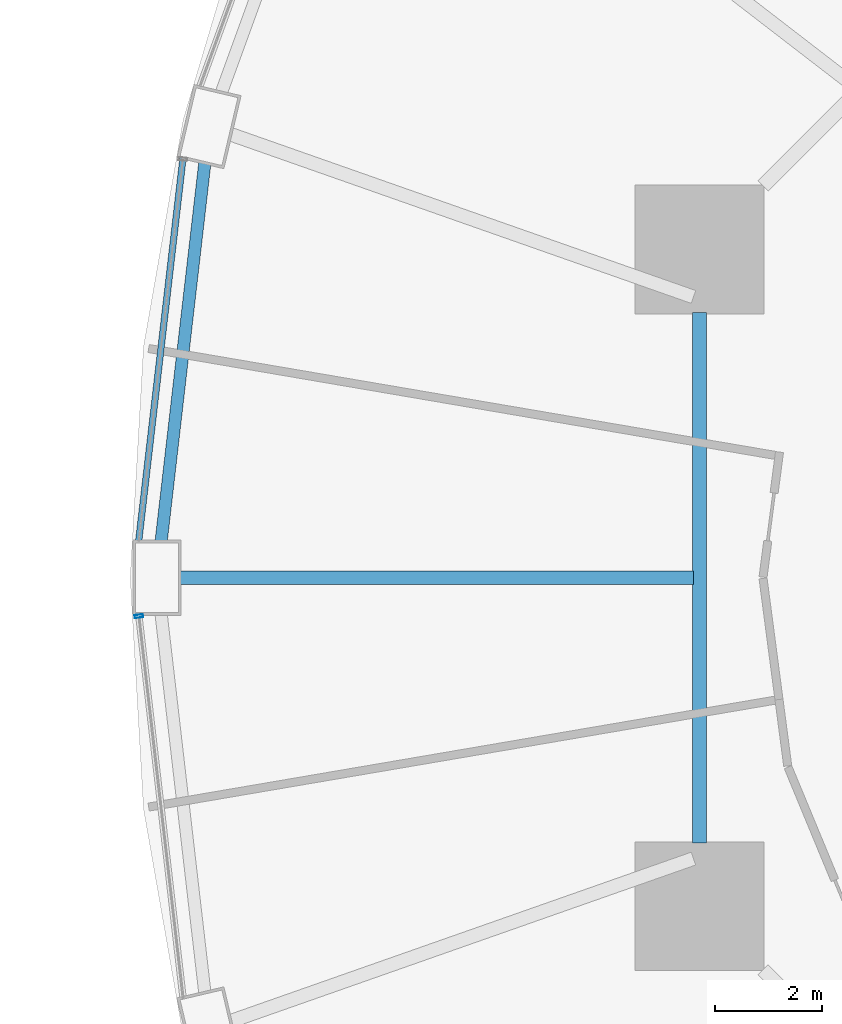
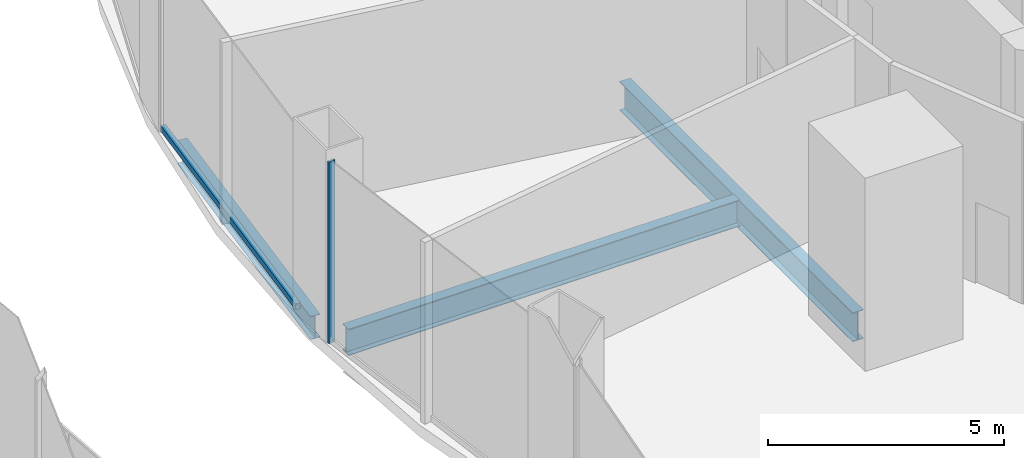
# One storey, part 18 of 47: 3 beams, 2 members, 2 elements without a shape of their own.
"""IFC4 building model written with IfcOpenShell, lengths in metres."""

from ifc_helpers import new_model, si_unit, direction, frame, origin, origin_2d, place, context, subcontext, project, spatial, hollow_rectangle, i_section, extrude, material, layer, layer_set, material_profile, profile_set, type_object, element, aggregate, save


model = new_model("IFC4")

# Units and contexts
model_context = context("Model", 3, precision=1e-05, world=origin(), true_north=direction((0.0, 1.0)))
body_context = subcontext(model_context, "Body", "Model", "MODEL_VIEW")
ifc_project = project(units=[si_unit("LENGTHUNIT", "METRE"), si_unit("AREAUNIT", "SQUARE_METRE"), si_unit("VOLUMEUNIT", "CUBIC_METRE"), si_unit("PLANEANGLEUNIT", "RADIAN"), si_unit("MASSUNIT", "GRAM", prefix="KILO")], contexts=[model_context])

# Site, building, storey
site_placement = place(None, origin())
site = spatial("IfcSite", under=ifc_project, at=site_placement, CompositionType="ELEMENT")
building_placement = place(site_placement, origin())
building = spatial("IfcBuilding", under=site, at=building_placement, Name="Nagisa Residences", CompositionType="ELEMENT")
storey_placement = place(building_placement, frame((0.0, 0.0, 17.0)))
storey = spatial("IfcBuildingStorey", under=building, at=storey_placement, Name="L03", CompositionType="ELEMENT", Elevation=17.0)

# Curtain wall, member
ifc_material_1 = material(Name="Stainless steel curtain wall system", Category="steel")
ifc_layer = layer(ifc_material_1, 0.159912109375)
ifc_layer_set = layer_set([ifc_layer], Name="CW6 CURTAIN WALL")
curtain_wall_type = type_object("IfcCurtainWallType", Name="CW6 CURTAIN WALL", PredefinedType="NOTDEFINED", material=ifc_layer_set)
curtain_wall_1_placement = place(storey_placement, origin())
curtain_wall_1 = element("IfcCurtainWall", 1, at=curtain_wall_1_placement, inside=storey, type_object=curtain_wall_type, Name="cw:CW6:L03:24", PredefinedType="NOTDEFINED")
ifc_material_2 = material(Name="Stainless steel", Category="steel")
ifc_material_profile_1 = material_profile(ifc_material_2, hollow_rectangle(XDim=0.159912109375, YDim=0.06005859375, WallThickness=0.006103515625, at=origin_2d()), Name="CW6 MULLION 160x60")
ifc_profile_set_1 = profile_set([ifc_material_profile_1], Name="Stainless steel")
member_type_1 = type_object("IfcMemberType", Name="CW6 MULLION 160x60", PredefinedType="MULLION", material=ifc_profile_set_1)
member_1_placement = place(storey_placement, frame((-25.236572265625, -0.716064453125, 0.0), z_axis=(0.0, 0.0, 1.0), x_axis=(0.993373823596, 0.114928006139, 0.0)))
member_1 = element("IfcMember", 2, at=member_1_placement, type_object=member_type_1, Name="CW6 mullion", PredefinedType="MULLION", context=body_context, shape_type="SweptSolid", body=[
    extrude(hollow_rectangle(XDim=0.159912109375, YDim=0.06005859375, WallThickness=0.006103515625, at=origin_2d()), origin(), (0.0, 0.0, 1.0), 4.699951171875),
])
aggregate(curtain_wall_1, [member_1])

curtain_wall_2_placement = place(storey_placement, origin())
curtain_wall_2 = element("IfcCurtainWall", 3, at=curtain_wall_2_placement, inside=storey, type_object=curtain_wall_type, Name="cw:CW6:L03:22", PredefinedType="NOTDEFINED")
ifc_material_3 = material(Name="Stainless steel", Category="steel")
ifc_material_profile_2 = material_profile(ifc_material_3, hollow_rectangle(XDim=0.1201171875, YDim=0.14990234375, WallThickness=0.008056640625, at=origin_2d()), Name="CW6 TRANSOM 120x150")
ifc_profile_set_2 = profile_set([ifc_material_profile_2], Name="Stainless steel")
member_type_2 = type_object("IfcMemberType", Name="CW6 TRANSOM 120x150", PredefinedType="USERDEFINED", material=ifc_profile_set_2)
member_2_placement = place(storey_placement, frame((-24.412841796875, 7.83642578125, 0.074951171875), z_axis=(-0.114916347997, -0.993375172311, 0.0), x_axis=(0.993375172311, -0.114916347997, 0.0)))
member_2 = element("IfcMember", 4, at=member_2_placement, type_object=member_type_2, Name="CW6 transom", ObjectType="TRANSOM", PredefinedType="USERDEFINED", context=body_context, shape_type="SweptSolid", body=[
    extrude(hollow_rectangle(XDim=0.1201171875, YDim=0.14990234375, WallThickness=0.008056640625, at=origin_2d()), origin(), (0.0, 0.0, 1.0), 7.19775390625),
])
aggregate(curtain_wall_2, [member_2])

# Beams
ifc_material_4 = material(Name="Steel ASTM A572 Gr 50", Category="steel")
ifc_material_profile_3 = material_profile(ifc_material_4, i_section(OverallWidth=0.264892578125, OverallDepth=0.7529296875, WebThickness=0.01318359375, FlangeThickness=0.01708984375, at=origin_2d()), Name="W760x147")
ifc_profile_set_3 = profile_set([ifc_material_profile_3], Name="Steel ASTM A572 Gr 50")
beam_type_1 = type_object("IfcBeamType", Name="Inner ring beam W760x147", PredefinedType="BEAM", material=ifc_profile_set_3)
beam_1_placement = place(storey_placement, frame((-14.781982421875, 4.94287109375, -0.676513671875), z_axis=(0.0, -1.0, 0.0), x_axis=(1.0, 0.0, 0.0)))
element("IfcBeam", 5, at=beam_1_placement, inside=storey, type_object=beam_type_1, Name="beam:L03:ib4", PredefinedType="BEAM", context=body_context, shape_type="SweptSolid", body=[
    extrude(i_section(OverallWidth=0.264892578125, OverallDepth=0.7529296875, WebThickness=0.01318359375, FlangeThickness=0.01708984375, at=origin_2d()), origin(), (0.0, 0.0, 1.0), 9.8857421875),
])
ifc_material_5 = material(Name="Steel ASTM A572 Gr 50", Category="steel")
ifc_material_profile_4 = material_profile(ifc_material_5, i_section(OverallWidth=0.22802734375, OverallDepth=0.60302734375, WebThickness=0.010498046875, FlangeThickness=0.014892578125, at=origin_2d()), Name="W610x101")
ifc_profile_set_4 = profile_set([ifc_material_profile_4], Name="Steel ASTM A572 Gr 50")
beam_type_2 = type_object("IfcBeamType", Name="Perimeter ring beam W610x101", PredefinedType="BEAM", material=ifc_profile_set_4)
beam_2_placement = place(storey_placement, frame((-24.00732421875, 7.7314453125, -0.6015625), z_axis=(-0.114707660057, -0.993399291687, 0.0), x_axis=(0.993399291687, -0.114707660057, 0.0)))
element("IfcBeam", 6, at=beam_2_placement, inside=storey, type_object=beam_type_2, Name="beam:L03:pb12", PredefinedType="BEAM", context=body_context, shape_type="SweptSolid", body=[
    extrude(i_section(OverallWidth=0.22802734375, OverallDepth=0.60302734375, WebThickness=0.010498046875, FlangeThickness=0.014892578125, at=origin_2d()), origin(), (0.0, 0.0, 1.0), 7.09814453125),
])
ifc_material_6 = material(Name="Steel ASTM A572 Gr 50", Category="steel")
ifc_material_profile_5 = material_profile(ifc_material_6, i_section(OverallWidth=0.25390625, OverallDepth=0.68408203125, WebThickness=0.012451171875, FlangeThickness=0.018798828125, at=origin_2d()), Name="W690x140")
ifc_profile_set_5 = profile_set([ifc_material_profile_5], Name="Steel ASTM A572 Gr 50")
beam_type_3 = type_object("IfcBeamType", Name="Radial beam W690x140", PredefinedType="BEAM", material=ifc_profile_set_5)
beam_3_placement = place(storey_placement, frame((-24.469970703125, 0.0, -0.64208984375), z_axis=(1.0, 0.0, 0.0), x_axis=(0.0, 1.0, 0.0)))
element("IfcBeam", 7, at=beam_3_placement, inside=storey, type_object=beam_type_3, Name="beam:L03:rb13", PredefinedType="BEAM", context=body_context, shape_type="SweptSolid", body=[
    extrude(i_section(OverallWidth=0.25390625, OverallDepth=0.68408203125, WebThickness=0.012451171875, FlangeThickness=0.018798828125, at=origin_2d()), origin(), (0.0, 0.0, 1.0), 9.575439453125),
])

save(model, "model.ifc")
